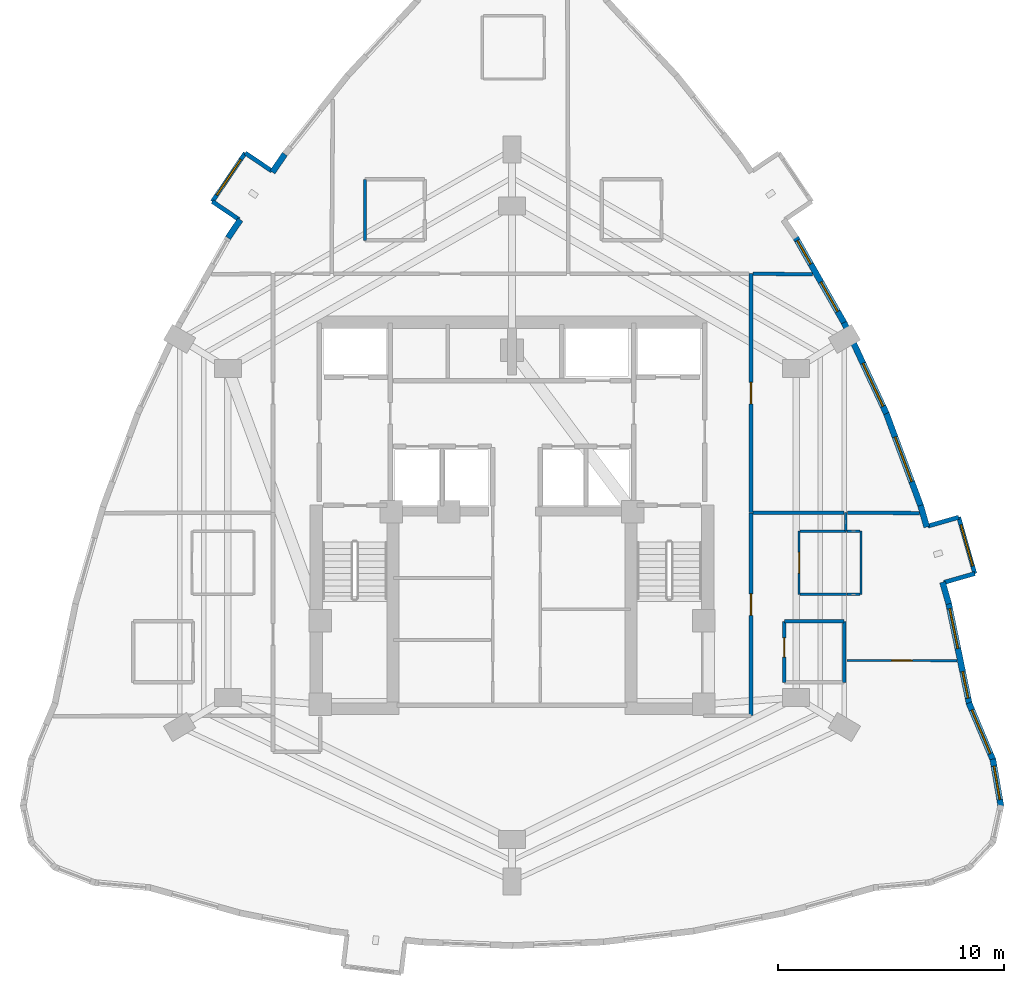
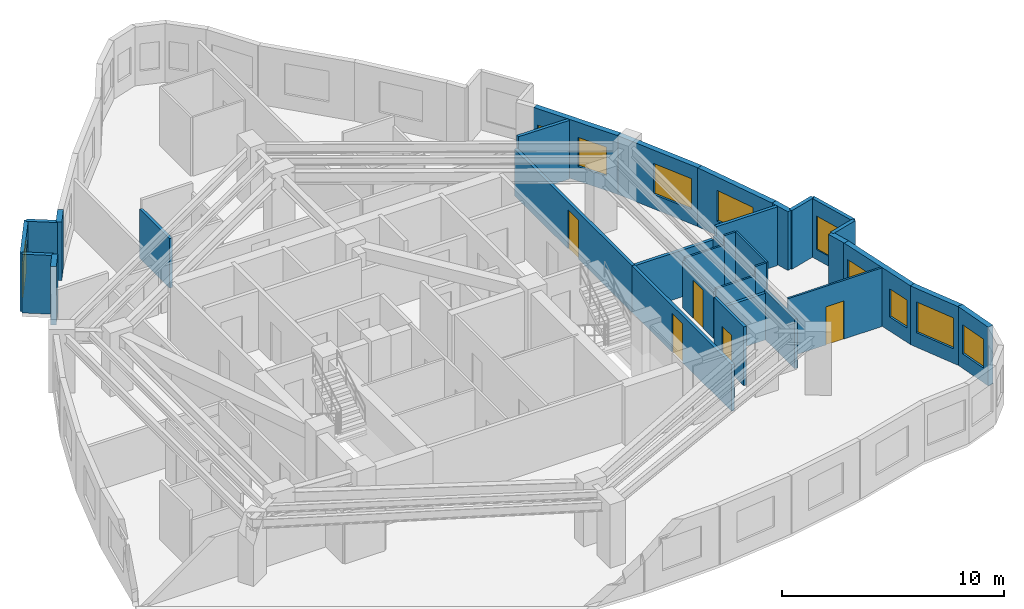
# One storey, part 6 of 9: 33 walls, 10 windows, 5 doors, 15 openings.
"""IFC4 building model written with IfcOpenShell, lengths in metres."""

from ifc_helpers import new_model, si_unit, direction, frame, frame_2d, origin, place, context, subcontext, project, spatial, rectangle, extrude, material, layer, layer_set, type_object, element, fill, save


model = new_model("IFC4")

# Units and contexts
model_context = context("Model", 3, precision=1e-05, world=origin(), true_north=direction((0.0, 1.0)))
body_context = subcontext(model_context, "Body", "Model", "MODEL_VIEW")
ifc_project = project(units=[si_unit("LENGTHUNIT", "METRE"), si_unit("AREAUNIT", "SQUARE_METRE"), si_unit("VOLUMEUNIT", "CUBIC_METRE"), si_unit("PLANEANGLEUNIT", "RADIAN"), si_unit("MASSUNIT", "GRAM", prefix="KILO")], contexts=[model_context])

# Site, building, storey
site_placement = place(None, origin())
site = spatial("IfcSite", under=ifc_project, at=site_placement, CompositionType="ELEMENT")
building_placement = place(site_placement, origin())
building = spatial("IfcBuilding", under=site, at=building_placement, Name="Miruveldt Soraemaru", CompositionType="ELEMENT")
storey_placement = place(building_placement, frame((0.0, 0.0, 135.39990234375)))
storey = spatial("IfcBuildingStorey", under=building, at=storey_placement, Name="L37", CompositionType="ELEMENT", Elevation=135.39990234375)

# Walls
ifc_material_1 = material(Name="White powder-coated aluminium EN AW-6060 T6", Category="aluminium")
ifc_layer_1 = layer(ifc_material_1, 0.18994140625, Name="White powder-coated aluminium EN AW-6060 T6", Category="aluminium")
ifc_layer_set_1 = layer_set([ifc_layer_1], Name="White powder-coated aluminium EN AW-6060 T6")
wall_type_1 = type_object("IfcWallType", Name="WALL-BAY-ALU190", PredefinedType="SOLIDWALL", material=ifc_layer_set_1)
for number, where, z_axis, x_axis, name in (
    (1, (33.350341796875, 59.151611328125, 0.0), (0.0, 0.0, 1.0), (-0.827995667279, 0.560734495966, 0.0), "L37 Bay Window Side Cheek 4L"),
    (2, (30.71240234375, 57.798095703125, 0.0), (0.0, 0.0, 1.0), (0.827862228344, -0.560931485016, 0.0), "L37 Bay Window Side Cheek 4R"),
):
    element("IfcWall", number, at=place(storey_placement, frame(where, z_axis=z_axis, x_axis=x_axis)), inside=storey, type_object=wall_type_1, Name=name, PredefinedType="SOLIDWALL", context=body_context, shape_type="SweptSolid", body=[
        extrude(rectangle(XDim=1.425048828125, YDim=0.18994140625, at=frame_2d((0.71240234375, 0.0))), origin(), (0.0, 0.0, 1.0), 3.235107421875),
    ])

# Wall, opening, window
wall_1_placement = place(storey_placement, frame((32.17041015625, 59.95068359375, 0.0), z_axis=(0.0, 0.0, 1.0), x_axis=(-0.560796235507, -0.827953852724, 0.0)))
wall_1 = element("IfcWall", 3, at=wall_1_placement, inside=storey, type_object=wall_type_1, Name="L37 Bay Window Front Frame 4", PredefinedType="SOLIDWALL", context=body_context, shape_type="SweptSolid", body=[
    extrude(rectangle(XDim=2.599853515625, YDim=0.18994140625, at=frame_2d((1.2998046875, 0.0))), origin(), (0.0, 0.0, 1.0), 3.235107421875),
])
opening_1_placement = place(wall_1_placement, frame((0.35009765625, 0.0, 0.550048828125)))
opening_1 = element("IfcOpeningElement", 4, at=opening_1_placement, cuts=wall_1, Name="Opening WN-6", PredefinedType="OPENING", context=body_context, shape_type="SweptSolid", body=[
    extrude(rectangle(XDim=1.89990234375, YDim=1.85009765625, at=frame_2d((0.949951171875, 0.925048828125))), frame((0.0, 0.10498046875, 0.0), z_axis=(0.0, -1.0, 0.0), x_axis=(1.0, 0.0, 0.0)), (0.0, 0.0, 1.0), 0.2099609375),
])
ifc_material_2 = material(Name="Triple low-e insulated glazing", Category="glass")
window_type_1 = type_object("IfcWindowType", Name="WIN-BAYW-1900x1850", PartitioningType="SINGLE_PANEL", PredefinedType="WINDOW", material=ifc_material_2)
window_1_placement = place(opening_1_placement, origin())
window_1 = element("IfcWindow", 5, at=window_1_placement, inside=storey, type_object=window_type_1, Name="L37 Projecting Bay Window 4", OverallHeight=1.85009765625, OverallWidth=1.89990234375, PartitioningType="SINGLE_PANEL", PredefinedType="WINDOW", context=body_context, shape_type="SweptSolid", body=[
    extrude(rectangle(XDim=1.89990234375, YDim=1.85009765625, at=frame_2d((0.949951171875, 0.925048828125))), frame((0.0, 0.030029296875, 0.0), z_axis=(0.0, -1.0, 0.0), x_axis=(1.0, 0.0, 0.0)), (0.0, 0.0, 1.0), 0.06005859375),
])
fill(opening_1, window_1)

# Walls
wall_2_placement = place(storey_placement, frame((63.153564453125, 40.90478515625, 0.0), z_axis=(0.0, 0.0, 1.0), x_axis=(0.961452801096, 0.274970018845, 0.0)))
element("IfcWall", 6, at=wall_2_placement, inside=storey, type_object=wall_type_1, Name="L37 Bay Window Side Cheek 2L", PredefinedType="SOLIDWALL", context=body_context, shape_type="SweptSolid", body=[
    extrude(rectangle(XDim=1.425048828125, YDim=0.18994140625, at=frame_2d((0.71240234375, 0.0))), origin(), (0.0, 0.0, 1.0), 3.235107421875),
])
wall_3_placement = place(storey_placement, frame((63.80859375, 43.79638671875, 0.0), z_axis=(0.0, 0.0, 1.0), x_axis=(-0.961439844578, -0.275015318223, 0.0)))
element("IfcWall", 7, at=wall_3_placement, inside=storey, type_object=wall_type_1, Name="L37 Bay Window Side Cheek 2R", PredefinedType="SOLIDWALL", context=body_context, shape_type="SweptSolid", body=[
    extrude(rectangle(XDim=1.4248046875, YDim=0.18994140625, at=frame_2d((0.71240234375, 0.0))), origin(), (0.0, 0.0, 1.0), 3.235107421875),
])

# Wall, opening, window
wall_4_placement = place(storey_placement, frame((64.523681640625, 41.296630859375, 0.0), z_axis=(0.0, 0.0, 1.0), x_axis=(-0.275031158597, 0.961435313373, 0.0)))
wall_4 = element("IfcWall", 8, at=wall_4_placement, inside=storey, type_object=wall_type_1, Name="L37 Bay Window Front Frame 2", PredefinedType="SOLIDWALL", context=body_context, shape_type="SweptSolid", body=[
    extrude(rectangle(XDim=2.60009765625, YDim=0.18994140625, at=frame_2d((1.300048828125, 0.0))), origin(), (0.0, 0.0, 1.0), 3.235107421875),
])
opening_2_placement = place(wall_4_placement, frame((0.35009765625, 0.0, 0.550048828125)))
opening_2 = element("IfcOpeningElement", 9, at=opening_2_placement, cuts=wall_4, Name="Opening WN-6", PredefinedType="OPENING", context=body_context, shape_type="SweptSolid", body=[
    extrude(rectangle(XDim=1.89990234375, YDim=1.85009765625, at=frame_2d((0.949951171875, 0.925048828125))), frame((0.0, 0.10498046875, 0.0), z_axis=(0.0, -1.0, 0.0), x_axis=(1.0, 0.0, 0.0)), (0.0, 0.0, 1.0), 0.2099609375),
])
window_2_placement = place(opening_2_placement, origin())
window_2 = element("IfcWindow", 10, at=window_2_placement, inside=storey, type_object=window_type_1, Name="L37 Projecting Bay Window 2", OverallHeight=1.85009765625, OverallWidth=1.89990234375, PartitioningType="SINGLE_PANEL", PredefinedType="WINDOW", context=body_context, shape_type="SweptSolid", body=[
    extrude(rectangle(XDim=1.89990234375, YDim=1.85009765625, at=frame_2d((0.949951171875, 0.925048828125))), frame((0.0, 0.030029296875, 0.0), z_axis=(0.0, -1.0, 0.0), x_axis=(1.0, 0.0, 0.0)), (0.0, 0.0, 1.0), 0.06005859375),
])
fill(opening_2, window_2)

# Walls
ifc_material_3 = material(Name="Precast concrete C45/55 (45 MPa)", Category="concrete")
ifc_layer_2 = layer(ifc_material_3, 0.27001953125, Name="Precast concrete C45/55 (45 MPa)", Category="concrete")
ifc_layer_set_2 = layer_set([ifc_layer_2], Name="Precast concrete C45/55 (45 MPa)")
wall_type_2 = type_object("IfcWallType", Name="WALL-EXT-PC270", PredefinedType="SOLIDWALL", material=ifc_layer_set_2)
wall_5_placement = place(storey_placement, frame((33.92431640625, 59.90087890625, 0.0), z_axis=(0.0, 0.0, 1.0), x_axis=(-0.560942525399, -0.827854747645, 0.0)))
element("IfcWall", 11, at=wall_5_placement, inside=storey, type_object=wall_type_2, Name="L37 Precast Pier Wall 9A", PredefinedType="SOLIDWALL", context=body_context, shape_type="SweptSolid", body=[
    extrude(rectangle(XDim=0.972412109375, YDim=0.27001953125, at=frame_2d((0.486328125, 0.0))), origin(), (0.0, 0.0, 1.0), 3.235107421875),
])
wall_6_placement = place(storey_placement, frame((31.954345703125, 56.992919921875, 0.0), z_axis=(0.0, 0.0, 1.0), x_axis=(-0.560770403853, -0.827971348636, 0.0)))
element("IfcWall", 12, at=wall_6_placement, inside=storey, type_object=wall_type_2, Name="L37 Precast Pier Wall 9B", PredefinedType="SOLIDWALL", context=body_context, shape_type="SweptSolid", body=[
    extrude(rectangle(XDim=0.97216796875, YDim=0.27001953125, at=frame_2d((0.486083984375, 0.0))), origin(), (0.0, 0.0, 1.0), 3.235107421875),
])

# Wall, opening, window
wall_7_placement = place(storey_placement, frame((65.68408203125, 30.962158203125, 0.0), z_axis=(0.0, 0.0, 1.0), x_axis=(-0.169334105823, 0.985558704799, 0.0)))
wall_7 = element("IfcWall", 13, at=wall_7_placement, inside=storey, type_object=wall_type_2, Name="L37 Precast Concrete Facade Wall 33", PredefinedType="SOLIDWALL", context=body_context, shape_type="SweptSolid", body=[
    extrude(rectangle(XDim=2.14111328125, YDim=0.27001953125, at=frame_2d((1.070556640625, 0.0))), origin(), (0.0, 0.0, 1.0), 3.235107421875),
])
opening_3_placement = place(wall_7_placement, frame((0.321044921875, 0.0, 0.800048828125)))
opening_3 = element("IfcOpeningElement", 14, at=opening_3_placement, cuts=wall_7, Name="Opening WN-3", PredefinedType="OPENING", context=body_context, shape_type="SweptSolid", body=[
    extrude(rectangle(XDim=1.5, YDim=1.60009765625, at=frame_2d((0.75, 0.800048828125))), frame((0.0, 0.14501953125, 0.0), z_axis=(0.0, -1.0, 0.0), x_axis=(1.0, 0.0, 0.0)), (0.0, 0.0, 1.0), 0.2900390625),
])
window_type_2 = type_object("IfcWindowType", Name="WIN-PUNCH-1500x1600", PartitioningType="SINGLE_PANEL", PredefinedType="WINDOW", material=ifc_material_2)
window_3_placement = place(opening_3_placement, origin())
window_3 = element("IfcWindow", 15, at=window_3_placement, inside=storey, type_object=window_type_2, Name="L37 Punched Triple-Glazed Window 33.1", OverallHeight=1.60009765625, OverallWidth=1.5, PartitioningType="SINGLE_PANEL", PredefinedType="WINDOW", context=body_context, shape_type="SweptSolid", body=[
    extrude(rectangle(XDim=1.5, YDim=1.60009765625, at=frame_2d((0.75, 0.800048828125))), frame((0.0, 0.030029296875, 0.0), z_axis=(0.0, -1.0, 0.0), x_axis=(1.0, 0.0, 0.0)), (0.0, 0.0, 1.0), 0.06005859375),
])
fill(opening_3, window_3)

wall_8_placement = place(storey_placement, frame((65.341064453125, 33.005615234375, 0.0), z_axis=(0.0, 0.0, 1.0), x_axis=(-0.38861888623, 0.921398589789, 0.0)))
wall_8 = element("IfcWall", 16, at=wall_8_placement, inside=storey, type_object=wall_type_2, Name="L37 Precast Concrete Facade Wall 34", PredefinedType="SOLIDWALL", context=body_context, shape_type="SweptSolid", body=[
    extrude(rectangle(XDim=2.77734375, YDim=0.27001953125, at=frame_2d((1.388671875, 0.0))), origin(), (0.0, 0.0, 1.0), 3.235107421875),
])
opening_4_placement = place(wall_8_placement, frame((0.339111328125, 0.0, 0.800048828125)))
opening_4 = element("IfcOpeningElement", 17, at=opening_4_placement, cuts=wall_8, Name="Opening WN-1", PredefinedType="OPENING", context=body_context, shape_type="SweptSolid", body=[
    extrude(rectangle(XDim=2.10009765625, YDim=1.699951171875, at=frame_2d((1.050048828125, 0.85009765625))), frame((0.0, 0.14501953125, 0.0), z_axis=(0.0, -1.0, 0.0), x_axis=(1.0, 0.0, 0.0)), (0.0, 0.0, 1.0), 0.2900390625),
])
window_type_3 = type_object("IfcWindowType", Name="WIN-PUNCH-2100x1700", PartitioningType="SINGLE_PANEL", PredefinedType="WINDOW", material=ifc_material_2)
window_4_placement = place(opening_4_placement, origin())
window_4 = element("IfcWindow", 18, at=window_4_placement, inside=storey, type_object=window_type_3, Name="L37 Punched Triple-Glazed Window 34.1", OverallHeight=1.699951171875, OverallWidth=2.10009765625, PartitioningType="SINGLE_PANEL", PredefinedType="WINDOW", context=body_context, shape_type="SweptSolid", body=[
    extrude(rectangle(XDim=2.10009765625, YDim=1.699951171875, at=frame_2d((1.050048828125, 0.85009765625))), frame((0.0, 0.030029296875, 0.0), z_axis=(0.0, -1.0, 0.0), x_axis=(1.0, 0.0, 0.0)), (0.0, 0.0, 1.0), 0.06005859375),
])
fill(opening_4, window_4)

# Wall, openings, windows
wall_9_placement = place(storey_placement, frame((64.2822265625, 35.498291015625, 0.0), z_axis=(0.0, 0.0, 1.0), x_axis=(-0.201588826085, 0.979470237015, 0.0)))
wall_9 = element("IfcWall", 19, at=wall_9_placement, inside=storey, type_object=wall_type_2, Name="L37 Precast Concrete Facade Wall 35", PredefinedType="SOLIDWALL", context=body_context, shape_type="SweptSolid", body=[
    extrude(rectangle(XDim=4.62158203125, YDim=0.27001953125, at=frame_2d((2.310791015625, 0.0))), origin(), (0.0, 0.0, 1.0), 3.235107421875),
])
opening_5_placement = place(wall_9_placement, frame((0.283935546875, 0.0, 0.780029296875)))
opening_5 = element("IfcOpeningElement", 20, at=opening_5_placement, cuts=wall_9, Name="Opening WN-4", PredefinedType="OPENING", context=body_context, shape_type="SweptSolid", body=[
    extrude(rectangle(XDim=1.199951171875, YDim=1.550048828125, at=frame_2d((0.60009765625, 0.77490234375))), frame((0.0, 0.14501953125, 0.0), z_axis=(0.0, -1.0, 0.0), x_axis=(1.0, 0.0, 0.0)), (0.0, 0.0, 1.0), 0.2900390625),
])
opening_6_placement = place(wall_9_placement, frame((2.535888671875, 0.0, 0.800048828125)))
opening_6 = element("IfcOpeningElement", 21, at=opening_6_placement, cuts=wall_9, Name="Opening WN-2", PredefinedType="OPENING", context=body_context, shape_type="SweptSolid", body=[
    extrude(rectangle(XDim=1.800048828125, YDim=1.64990234375, at=frame_2d((0.89990234375, 0.824951171875))), frame((0.0, 0.14501953125, 0.0), z_axis=(0.0, -1.0, 0.0), x_axis=(1.0, 0.0, 0.0)), (0.0, 0.0, 1.0), 0.2900390625),
])
window_type_4 = type_object("IfcWindowType", Name="WIN-PUNCH-1200x1550", PartitioningType="SINGLE_PANEL", PredefinedType="WINDOW", material=ifc_material_2)
window_5_placement = place(opening_5_placement, origin())
window_5 = element("IfcWindow", 22, at=window_5_placement, inside=storey, type_object=window_type_4, Name="L37 Punched Triple-Glazed Window 35.1", OverallHeight=1.550048828125, OverallWidth=1.199951171875, PartitioningType="SINGLE_PANEL", PredefinedType="WINDOW", context=body_context, shape_type="SweptSolid", body=[
    extrude(rectangle(XDim=1.199951171875, YDim=1.550048828125, at=frame_2d((0.60009765625, 0.77490234375))), frame((0.0, 0.030029296875, 0.0), z_axis=(0.0, -1.0, 0.0), x_axis=(1.0, 0.0, 0.0)), (0.0, 0.0, 1.0), 0.06005859375),
])
fill(opening_5, window_5)
window_type_5 = type_object("IfcWindowType", Name="WIN-PUNCH-1800x1650", PartitioningType="SINGLE_PANEL", PredefinedType="WINDOW", material=ifc_material_2)
window_6_placement = place(opening_6_placement, origin())
window_6 = element("IfcWindow", 23, at=window_6_placement, inside=storey, type_object=window_type_5, Name="L37 Punched Triple-Glazed Window 35.2", OverallHeight=1.64990234375, OverallWidth=1.800048828125, PartitioningType="SINGLE_PANEL", PredefinedType="WINDOW", context=body_context, shape_type="SweptSolid", body=[
    extrude(rectangle(XDim=1.800048828125, YDim=1.64990234375, at=frame_2d((0.89990234375, 0.824951171875))), frame((0.0, 0.030029296875, 0.0), z_axis=(0.0, -1.0, 0.0), x_axis=(1.0, 0.0, 0.0)), (0.0, 0.0, 1.0), 0.06005859375),
])
fill(opening_6, window_6)

# Walls
for number, where, z_axis, x_axis, name in (
    (24, (63.367431640625, 39.95703125, 0.0), (0.0, 0.0, 1.0), (-0.274914600891, 0.961468648588, 0.0), "L37 Precast Pier Wall 36A"),
    (25, (62.393798828125, 43.360595703125, 0.0), (0.0, 0.0, 1.0), (-0.274914600891, 0.961468648588, 0.0), "L37 Precast Pier Wall 36B"),
):
    element("IfcWall", number, at=place(storey_placement, frame(where, z_axis=z_axis, x_axis=x_axis)), inside=storey, type_object=wall_type_2, Name=name, PredefinedType="SOLIDWALL", context=body_context, shape_type="SweptSolid", body=[
        extrude(rectangle(XDim=1.0, YDim=0.27001953125, at=frame_2d((0.5, 0.0))), origin(), (0.0, 0.0, 1.0), 3.235107421875),
    ])

# Wall, opening, window
wall_10_placement = place(storey_placement, frame((62.140869140625, 44.255615234375, 0.0), z_axis=(0.0, 0.0, 1.0), x_axis=(-0.349028406378, 0.937112144592, 0.0)))
wall_10 = element("IfcWall", 26, at=wall_10_placement, inside=storey, type_object=wall_type_2, Name="L37 Precast Concrete Facade Wall 37", PredefinedType="SOLIDWALL", context=body_context, shape_type="SweptSolid", body=[
    extrude(rectangle(XDim=4.484375, YDim=0.27001953125, at=frame_2d((2.2421875, 0.0))), origin(), (0.0, 0.0, 1.0), 3.235107421875),
])
opening_7_placement = place(wall_10_placement, frame((1.197998046875, 0.0, 0.800048828125)))
opening_7 = element("IfcOpeningElement", 27, at=opening_7_placement, cuts=wall_10, Name="Opening WN-1", PredefinedType="OPENING", context=body_context, shape_type="SweptSolid", body=[
    extrude(rectangle(XDim=2.10009765625, YDim=1.699951171875, at=frame_2d((1.050048828125, 0.85009765625))), frame((0.0, 0.14501953125, 0.0), z_axis=(0.0, -1.0, 0.0), x_axis=(1.0, 0.0, 0.0)), (0.0, 0.0, 1.0), 0.2900390625),
])
window_7_placement = place(opening_7_placement, origin())
window_7 = element("IfcWindow", 28, at=window_7_placement, inside=storey, type_object=window_type_3, Name="L37 Punched Triple-Glazed Window 37.1", OverallHeight=1.699951171875, OverallWidth=2.10009765625, PartitioningType="SINGLE_PANEL", PredefinedType="WINDOW", context=body_context, shape_type="SweptSolid", body=[
    extrude(rectangle(XDim=2.10009765625, YDim=1.699951171875, at=frame_2d((1.050048828125, 0.85009765625))), frame((0.0, 0.030029296875, 0.0), z_axis=(0.0, -1.0, 0.0), x_axis=(1.0, 0.0, 0.0)), (0.0, 0.0, 1.0), 0.06005859375),
])
fill(opening_7, window_7)

wall_11_placement = place(storey_placement, frame((60.6025390625, 48.3935546875, 0.0), z_axis=(0.0, 0.0, 1.0), x_axis=(-0.422279541347, 0.906465657904, 0.0)))
wall_11 = element("IfcWall", 29, at=wall_11_placement, inside=storey, type_object=wall_type_2, Name="L37 Precast Concrete Facade Wall 38", PredefinedType="SOLIDWALL", context=body_context, shape_type="SweptSolid", body=[
    extrude(rectangle(XDim=4.456298828125, YDim=0.27001953125, at=frame_2d((2.22802734375, 0.0))), origin(), (0.0, 0.0, 1.0), 3.235107421875),
])
opening_8_placement = place(wall_11_placement, frame((0.35888671875, 0.0, 0.800048828125)))
opening_8 = element("IfcOpeningElement", 30, at=opening_8_placement, cuts=wall_11, Name="Opening WN-1", PredefinedType="OPENING", context=body_context, shape_type="SweptSolid", body=[
    extrude(rectangle(XDim=2.10009765625, YDim=1.699951171875, at=frame_2d((1.050048828125, 0.85009765625))), frame((0.0, 0.14501953125, 0.0), z_axis=(0.0, -1.0, 0.0), x_axis=(1.0, 0.0, 0.0)), (0.0, 0.0, 1.0), 0.2900390625),
])
window_8_placement = place(opening_8_placement, origin())
window_8 = element("IfcWindow", 31, at=window_8_placement, inside=storey, type_object=window_type_3, Name="L37 Punched Triple-Glazed Window 38.1", OverallHeight=1.699951171875, OverallWidth=2.10009765625, PartitioningType="SINGLE_PANEL", PredefinedType="WINDOW", context=body_context, shape_type="SweptSolid", body=[
    extrude(rectangle(XDim=2.10009765625, YDim=1.699951171875, at=frame_2d((1.050048828125, 0.85009765625))), frame((0.0, 0.030029296875, 0.0), z_axis=(0.0, -1.0, 0.0), x_axis=(1.0, 0.0, 0.0)), (0.0, 0.0, 1.0), 0.06005859375),
])
fill(opening_8, window_8)

# Wall, openings, windows
wall_12_placement = place(storey_placement, frame((58.752685546875, 52.37109375, 0.0), z_axis=(0.0, 0.0, 1.0), x_axis=(-0.493387123511, 0.869809833443, 0.0)))
wall_12 = element("IfcWall", 32, at=wall_12_placement, inside=storey, type_object=wall_type_2, Name="L37 Precast Concrete Facade Wall 39", PredefinedType="SOLIDWALL", context=body_context, shape_type="SweptSolid", body=[
    extrude(rectangle(XDim=4.456298828125, YDim=0.27001953125, at=frame_2d((2.22802734375, 0.0))), origin(), (0.0, 0.0, 1.0), 3.235107421875),
])
opening_9_placement = place(wall_12_placement, frame((0.633056640625, 0.0, 0.800048828125)))
opening_9 = element("IfcOpeningElement", 33, at=opening_9_placement, cuts=wall_12, Name="Opening WN-3", PredefinedType="OPENING", context=body_context, shape_type="SweptSolid", body=[
    extrude(rectangle(XDim=1.5, YDim=1.60009765625, at=frame_2d((0.75, 0.800048828125))), frame((0.0, 0.14501953125, 0.0), z_axis=(0.0, -1.0, 0.0), x_axis=(1.0, 0.0, 0.0)), (0.0, 0.0, 1.0), 0.2900390625),
])
opening_10_placement = place(wall_12_placement, frame((3.052978515625, 0.0, 0.780029296875)))
opening_10 = element("IfcOpeningElement", 34, at=opening_10_placement, cuts=wall_12, Name="Opening WN-4", PredefinedType="OPENING", context=body_context, shape_type="SweptSolid", body=[
    extrude(rectangle(XDim=1.199951171875, YDim=1.550048828125, at=frame_2d((0.60009765625, 0.77490234375))), frame((0.0, 0.14501953125, 0.0), z_axis=(0.0, -1.0, 0.0), x_axis=(1.0, 0.0, 0.0)), (0.0, 0.0, 1.0), 0.2900390625),
])
window_9_placement = place(opening_10_placement, origin())
window_9 = element("IfcWindow", 35, at=window_9_placement, inside=storey, type_object=window_type_4, Name="L37 Punched Triple-Glazed Window 39.2", OverallHeight=1.550048828125, OverallWidth=1.199951171875, PartitioningType="SINGLE_PANEL", PredefinedType="WINDOW", context=body_context, shape_type="SweptSolid", body=[
    extrude(rectangle(XDim=1.199951171875, YDim=1.550048828125, at=frame_2d((0.60009765625, 0.77490234375))), frame((0.0, 0.030029296875, 0.0), z_axis=(0.0, -1.0, 0.0), x_axis=(1.0, 0.0, 0.0)), (0.0, 0.0, 1.0), 0.06005859375),
])
fill(opening_10, window_9)
window_10_placement = place(opening_9_placement, origin())
window_10 = element("IfcWindow", 36, at=window_10_placement, inside=storey, type_object=window_type_2, Name="L37 Punched Triple-Glazed Window 39.1", OverallHeight=1.60009765625, OverallWidth=1.5, PartitioningType="SINGLE_PANEL", PredefinedType="WINDOW", context=body_context, shape_type="SweptSolid", body=[
    extrude(rectangle(XDim=1.5, YDim=1.60009765625, at=frame_2d((0.75, 0.800048828125))), frame((0.0, 0.030029296875, 0.0), z_axis=(0.0, -1.0, 0.0), x_axis=(1.0, 0.0, 0.0)), (0.0, 0.0, 1.0), 0.06005859375),
])
fill(opening_9, window_10)

# Wall, opening, door
ifc_material_4 = material(Name="Gypsum plasterboard lining", Category="gypsum")
ifc_layer_3 = layer(ifc_material_4, 0.10009765625, Name="Gypsum plasterboard lining", Category="gypsum")
ifc_layer_set_3 = layer_set([ifc_layer_3], Name="Gypsum plasterboard lining")
wall_type_3 = type_object("IfcWallType", Name="WALL-INT-P100", PredefinedType="PARTITIONING", material=ifc_layer_set_3)
wall_13_placement = place(storey_placement, frame((63.72998046875, 37.43603515625, 0.0), z_axis=(0.0, 0.0, 1.0), x_axis=(-0.999995933897, 0.002851699431, 0.0)))
wall_13 = element("IfcWall", 37, at=wall_13_placement, inside=storey, type_object=wall_type_3, Name="L37 Partition Wall 47", PredefinedType="PARTITIONING", context=body_context, shape_type="SweptSolid", body=[
    extrude(rectangle(XDim=4.8798828125, YDim=0.10009765625, at=frame_2d((2.43994140625, 0.0))), origin(), (0.0, 0.0, 1.0), 3.235107421875),
])
opening_11_placement = place(wall_13_placement, frame((1.97998046875, 0.0, 0.0)))
opening_11 = element("IfcOpeningElement", 38, at=opening_11_placement, cuts=wall_13, Name="Opening D3A", PredefinedType="OPENING", context=body_context, shape_type="SweptSolid", body=[
    extrude(rectangle(XDim=0.919921875, YDim=2.10009765625, at=frame_2d((0.4599609375, 1.050048828125))), frame((0.0, 0.06005859375, 0.0), z_axis=(0.0, -1.0, 0.0), x_axis=(1.0, 0.0, 0.0)), (0.0, 0.0, 1.0), 0.1201171875),
])
ifc_material_5 = material(Name="Anodised aluminium EN AW-6063 T6", Category="aluminium")
door_type_1 = type_object("IfcDoorType", Name="DOOR-INT-920", OperationType="NOTDEFINED", PredefinedType="DOOR", material=ifc_material_5)
door_1_placement = place(opening_11_placement, origin())
door_1 = element("IfcDoor", 39, at=door_1_placement, inside=storey, type_object=door_type_1, Name="L37 Unit 3707 BD1 Door", OperationType="SINGLE_SWING_LEFT", OverallHeight=2.10009765625, OverallWidth=0.919921875, PredefinedType="DOOR", context=body_context, shape_type="SweptSolid", body=[
    extrude(rectangle(XDim=0.919921875, YDim=2.10009765625, at=frame_2d((0.4599609375, 1.050048828125))), frame((0.0, 0.02490234375, 0.0), z_axis=(0.0, -1.0, 0.0), x_axis=(1.0, 0.0, 0.0)), (0.0, 0.0, 1.0), 0.050048828125),
])
fill(opening_11, door_1)

wall_14_placement = place(storey_placement, frame((56.72998046875, 43.179931640625, 0.0), z_axis=(0.0, 0.0, 1.0), x_axis=(0.0, -1.0, 0.0)))
wall_14 = element("IfcWall", 40, at=wall_14_placement, inside=storey, type_object=wall_type_3, Name="L37 Partition Wall 45", PredefinedType="PARTITIONING", context=body_context, shape_type="SweptSolid", body=[
    extrude(rectangle(XDim=2.800048828125, YDim=0.10009765625, at=frame_2d((1.39990234375, 0.0))), origin(), (0.0, 0.0, 1.0), 2.572998046875),
])
opening_12_placement = place(wall_14_placement, frame((0.93994140625, 0.0, 0.0)))
opening_12 = element("IfcOpeningElement", 41, at=opening_12_placement, cuts=wall_14, Name="Opening D3A", PredefinedType="OPENING", context=body_context, shape_type="SweptSolid", body=[
    extrude(rectangle(XDim=0.919921875, YDim=2.10009765625, at=frame_2d((0.4599609375, 1.050048828125))), frame((0.0, 0.06005859375, 0.0), z_axis=(0.0, -1.0, 0.0), x_axis=(1.0, 0.0, 0.0)), (0.0, 0.0, 1.0), 0.1201171875),
])
door_2_placement = place(opening_12_placement, origin())
door_2 = element("IfcDoor", 42, at=door_2_placement, inside=storey, type_object=door_type_1, Name="L37 Unit 3707 KIT Door", OperationType="SINGLE_SWING_RIGHT", OverallHeight=2.10009765625, OverallWidth=0.919921875, PredefinedType="DOOR", context=body_context, shape_type="SweptSolid", body=[
    extrude(rectangle(XDim=0.919921875, YDim=2.10009765625, at=frame_2d((0.4599609375, 1.050048828125))), frame((0.0, 0.02490234375, 0.0), z_axis=(0.0, -1.0, 0.0), x_axis=(1.0, 0.0, 0.0)), (0.0, 0.0, 1.0), 0.050048828125),
])
fill(opening_12, door_2)

# Walls
wall_15_placement = place(storey_placement, frame((59.47998046875, 40.3798828125, 0.0), z_axis=(0.0, 0.0, 1.0), x_axis=(0.0, 1.0, 0.0)))
element("IfcWall", 43, at=wall_15_placement, inside=storey, type_object=wall_type_3, Name="L37 Partition Wall 50", PredefinedType="PARTITIONING", context=body_context, shape_type="SweptSolid", body=[
    extrude(rectangle(XDim=2.800048828125, YDim=0.10009765625, at=frame_2d((1.39990234375, 0.0))), origin(), (0.0, 0.0, 1.0), 3.235107421875),
])
for number, where, z_axis, x_axis, name in (
    (44, (58.840087890625, 43.179931640625, 0.0), (0.0, 0.0, 1.0), (-1.0, 0.0, 0.0), "L37 Partition Wall 44"),
    (45, (56.780029296875, 40.3798828125, 0.0), (0.0, 0.0, 1.0), (1.0, 0.0, 0.0), "L37 Partition Wall 46"),
):
    element("IfcWall", number, at=place(storey_placement, frame(where, z_axis=z_axis, x_axis=x_axis)), inside=storey, type_object=wall_type_3, Name=name, PredefinedType="PARTITIONING", context=body_context, shape_type="SweptSolid", body=[
        extrude(rectangle(XDim=2.06005859375, YDim=0.10009765625, at=frame_2d((1.030029296875, 0.0))), origin(), (0.0, 0.0, 1.0), 2.72314453125),
    ])
wall_16_placement = place(storey_placement, frame((58.800048828125, 43.179931640625, 0.0), z_axis=(0.0, 0.0, 1.0), x_axis=(0.0, 1.0, 0.0)))
element("IfcWall", 46, at=wall_16_placement, inside=storey, type_object=wall_type_3, Name="L37 Partition Wall 48", PredefinedType="PARTITIONING", context=body_context, shape_type="SweptSolid", body=[
    extrude(rectangle(XDim=0.820068359375, YDim=0.10009765625, at=frame_2d((0.41015625, 0.0))), origin(), (0.0, 0.0, 1.0), 2.72314453125),
])
for number, where, z_axis, x_axis, name in (
    (47, (58.85009765625, 40.3798828125, 0.0), (0.0, 0.0, 1.0), (1.0, 0.0, 0.0), "L37 Partition Wall 49"),
    (48, (59.429931640625, 43.179931640625, 0.0), (0.0, 0.0, 1.0), (-1.0, 0.0, 0.0), "L37 Partition Wall 51"),
):
    element("IfcWall", number, at=place(storey_placement, frame(where, z_axis=z_axis, x_axis=x_axis)), inside=storey, type_object=wall_type_3, Name=name, PredefinedType="PARTITIONING", context=body_context, shape_type="SweptSolid", body=[
        extrude(rectangle(XDim=0.579833984375, YDim=0.10009765625, at=frame_2d((0.2900390625, 0.0))), origin(), (0.0, 0.0, 1.0), 3.235107421875),
    ])

# Wall, opening, door
ifc_layer_4 = layer(ifc_material_4, 0.14990234375, Name="Gypsum plasterboard lining", Category="gypsum")
ifc_layer_set_4 = layer_set([ifc_layer_4], Name="Gypsum plasterboard lining")
wall_type_4 = type_object("IfcWallType", Name="WALL-INT-PLUMB", PredefinedType="PLUMBINGWALL", material=ifc_layer_set_4)
wall_17_placement = place(storey_placement, frame((56.080078125, 39.179931640625, 0.0), z_axis=(0.0, 0.0, 1.0), x_axis=(0.0, -1.0, 0.0)))
wall_17 = element("IfcWall", 49, at=wall_17_placement, inside=storey, type_object=wall_type_4, Name="L37 Partition Wall 42", PredefinedType="PLUMBINGWALL", context=body_context, shape_type="SweptSolid", body=[
    extrude(rectangle(XDim=2.699951171875, YDim=0.14990234375, at=frame_2d((1.35009765625, 0.0))), origin(), (0.0, 0.0, 1.0), 3.235107421875),
])
opening_13_placement = place(wall_17_placement, frame((0.72998046875, 0.0, 0.0)))
opening_13 = element("IfcOpeningElement", 50, at=opening_13_placement, cuts=wall_17, Name="Opening FD3", PredefinedType="OPENING", context=body_context, shape_type="SweptSolid", body=[
    extrude(rectangle(XDim=0.85009765625, YDim=2.10009765625, at=frame_2d((0.425048828125, 1.050048828125))), frame((0.0, 0.0849609375, 0.0), z_axis=(0.0, -1.0, 0.0), x_axis=(1.0, 0.0, 0.0)), (0.0, 0.0, 1.0), 0.169921875),
])
door_type_2 = type_object("IfcDoorType", Name="DOOR-FD3-850", OperationType="NOTDEFINED", PredefinedType="DOOR", material=ifc_material_5)
door_3_placement = place(opening_13_placement, origin())
door_3 = element("IfcDoor", 51, at=door_3_placement, inside=storey, type_object=door_type_2, Name="L37 Unit 3707 BTH Door", OperationType="SINGLE_SWING_LEFT", OverallHeight=2.10009765625, OverallWidth=0.85009765625, PredefinedType="DOOR", context=body_context, shape_type="SweptSolid", body=[
    extrude(rectangle(XDim=0.85009765625, YDim=2.10009765625, at=frame_2d((0.425048828125, 1.050048828125))), frame((0.0, 0.02490234375, 0.0), z_axis=(0.0, -1.0, 0.0), x_axis=(1.0, 0.0, 0.0)), (0.0, 0.0, 1.0), 0.050048828125),
])
fill(opening_13, door_3)

# Walls
for number, where, z_axis, x_axis, name in (
    (52, (37.47998046875, 58.780029296875, 0.0), (0.0, 0.0, 1.0), (0.0, -1.0, 0.0), "L37 Partition Wall 16"),
    (53, (58.72998046875, 36.47998046875, 0.0), (0.0, 0.0, 1.0), (0.0, 1.0, 0.0), "L37 Partition Wall 40"),
):
    element("IfcWall", number, at=place(storey_placement, frame(where, z_axis=z_axis, x_axis=x_axis)), inside=storey, type_object=wall_type_4, Name=name, PredefinedType="PLUMBINGWALL", context=body_context, shape_type="SweptSolid", body=[
        extrude(rectangle(XDim=2.699951171875, YDim=0.14990234375, at=frame_2d((1.35009765625, 0.0))), origin(), (0.0, 0.0, 1.0), 2.72314453125),
    ])
wall_18_placement = place(storey_placement, frame((58.72998046875, 39.179931640625, 0.0), z_axis=(0.0, 0.0, 1.0), x_axis=(-1.0, 0.0, 0.0)))
element("IfcWall", 54, at=wall_18_placement, inside=storey, type_object=wall_type_4, Name="L37 Partition Wall 41", PredefinedType="PLUMBINGWALL", context=body_context, shape_type="SweptSolid", body=[
    extrude(rectangle(XDim=2.64990234375, YDim=0.14990234375, at=frame_2d((1.324951171875, 0.0))), origin(), (0.0, 0.0, 1.0), 2.572998046875),
])

# Wall, opening, door
ifc_material_6 = material(Name="Concrete C40/50 (40 MPa)", Category="concrete")
ifc_layer_5 = layer(ifc_material_6, 0.159912109375, Name="Concrete C40/50 (40 MPa)", Category="concrete")
ifc_layer_set_5 = layer_set([ifc_layer_5], Name="Concrete C40/50 (40 MPa)")
wall_type_5 = type_object("IfcWallType", Name="WALL-INT-RC160", PredefinedType="SOLIDWALL", material=ifc_layer_set_5)
wall_19_placement = place(storey_placement, frame((54.60009765625, 44.0, 0.0), z_axis=(0.0, 0.0, 1.0), x_axis=(0.0, 1.0, 0.0)))
wall_19 = element("IfcWall", 55, at=wall_19_placement, inside=storey, type_object=wall_type_5, Name="L37 Partition Wall 6", PredefinedType="SOLIDWALL", context=body_context, shape_type="SweptSolid", body=[
    extrude(rectangle(XDim=10.60009765625, YDim=0.159912109375, at=frame_2d((5.300048828125, 0.0))), origin(), (0.0, 0.0, 1.0), 2.572998046875),
])
opening_14_placement = place(wall_19_placement, frame((4.824951171875, 0.0, 0.0)))
opening_14 = element("IfcOpeningElement", 56, at=opening_14_placement, cuts=wall_19, Name="Opening FD2", PredefinedType="OPENING", context=body_context, shape_type="SweptSolid", body=[
    extrude(rectangle(XDim=0.949951171875, YDim=2.14990234375, at=frame_2d((0.47509765625, 1.074951171875))), frame((0.0, 0.08984375, 0.0), z_axis=(0.0, -1.0, 0.0), x_axis=(1.0, 0.0, 0.0)), (0.0, 0.0, 1.0), 0.179931640625),
])
door_type_3 = type_object("IfcDoorType", Name="DOOR-FD2-950", OperationType="NOTDEFINED", PredefinedType="DOOR", material=ifc_material_5)
door_4_placement = place(opening_14_placement, origin())
door_4 = element("IfcDoor", 57, at=door_4_placement, inside=storey, type_object=door_type_3, Name="L37 Unit CL06 Entrance Fire Door", OperationType="SINGLE_SWING_LEFT", OverallHeight=2.14990234375, OverallWidth=0.949951171875, PredefinedType="DOOR", context=body_context, shape_type="SweptSolid", body=[
    extrude(rectangle(XDim=0.949951171875, YDim=2.14990234375, at=frame_2d((0.47509765625, 1.074951171875))), frame((0.0, 0.02490234375, 0.0), z_axis=(0.0, -1.0, 0.0), x_axis=(1.0, 0.0, 0.0)), (0.0, 0.0, 1.0), 0.050048828125),
])
fill(opening_14, door_4)

wall_20_placement = place(storey_placement, frame((54.60009765625, 35.0, 0.0), z_axis=(0.0, 0.0, 1.0), x_axis=(0.0, 1.0, 0.0)))
wall_20 = element("IfcWall", 58, at=wall_20_placement, inside=storey, type_object=wall_type_5, Name="L37 Partition Wall 11", PredefinedType="SOLIDWALL", context=body_context, shape_type="SweptSolid", body=[
    extrude(rectangle(XDim=8.992919921875, YDim=0.159912109375, at=frame_2d((4.49658203125, 0.0))), origin(), (0.0, 0.0, 1.0), 2.572998046875),
])
opening_15_placement = place(wall_20_placement, frame((4.445068359375, 0.0, 0.0)))
opening_15 = element("IfcOpeningElement", 59, at=opening_15_placement, cuts=wall_20, Name="Opening FD2", PredefinedType="OPENING", context=body_context, shape_type="SweptSolid", body=[
    extrude(rectangle(XDim=0.949951171875, YDim=2.14990234375, at=frame_2d((0.47509765625, 1.074951171875))), frame((0.0, 0.08984375, 0.0), z_axis=(0.0, -1.0, 0.0), x_axis=(1.0, 0.0, 0.0)), (0.0, 0.0, 1.0), 0.179931640625),
])
door_5_placement = place(opening_15_placement, origin())
door_5 = element("IfcDoor", 60, at=door_5_placement, inside=storey, type_object=door_type_3, Name="L37 Unit 3707 Entrance Fire Door", OperationType="SINGLE_SWING_RIGHT", OverallHeight=2.14990234375, OverallWidth=0.949951171875, PredefinedType="DOOR", context=body_context, shape_type="SweptSolid", body=[
    extrude(rectangle(XDim=0.949951171875, YDim=2.14990234375, at=frame_2d((0.47509765625, 1.074951171875))), frame((0.0, 0.02490234375, 0.0), z_axis=(0.0, -1.0, 0.0), x_axis=(1.0, 0.0, 0.0)), (0.0, 0.0, 1.0), 0.050048828125),
])
fill(opening_15, door_5)

# Walls
wall_21_placement = place(storey_placement, frame((54.68701171875, 44.0, 0.0), z_axis=(0.0, 0.0, 1.0), x_axis=(1.0, 0.0, 0.0)))
element("IfcWall", 61, at=wall_21_placement, inside=storey, type_object=wall_type_5, Name="L37 Partition Wall 38", PredefinedType="SOLIDWALL", context=body_context, shape_type="SweptSolid", body=[
    extrude(rectangle(XDim=4.02587890625, YDim=0.159912109375, at=frame_2d((2.012939453125, 0.0))), origin(), (0.0, 0.0, 1.0), 2.572998046875),
])
wall_22_placement = place(storey_placement, frame((58.8798828125, 44.0, 0.0), z_axis=(0.0, 0.0, 1.0), x_axis=(0.999982083272, -0.005986078472, 0.0)))
element("IfcWall", 62, at=wall_22_placement, inside=storey, type_object=wall_type_5, Name="L37 Partition Wall 39", PredefinedType="SOLIDWALL", context=body_context, shape_type="SweptSolid", body=[
    extrude(rectangle(XDim=3.18115234375, YDim=0.159912109375, at=frame_2d((1.590576171875, 0.0))), origin(), (0.0, 0.0, 1.0), 3.235107421875),
])
wall_23_placement = place(storey_placement, frame((54.679931640625, 54.59912109375, 0.0), z_axis=(0.0, 0.0, 1.0), x_axis=(0.999921812315, -0.012504769331, 0.0)))
element("IfcWall", 63, at=wall_23_placement, inside=storey, type_object=wall_type_5, Name="L37 Partition Wall 27", PredefinedType="SOLIDWALL", context=body_context, shape_type="SweptSolid", body=[
    extrude(rectangle(XDim=2.6552734375, YDim=0.159912109375, at=frame_2d((1.32763671875, 0.0))), origin(), (0.0, 0.0, 1.0), 3.235107421875),
])

save(model, "model.ifc")
